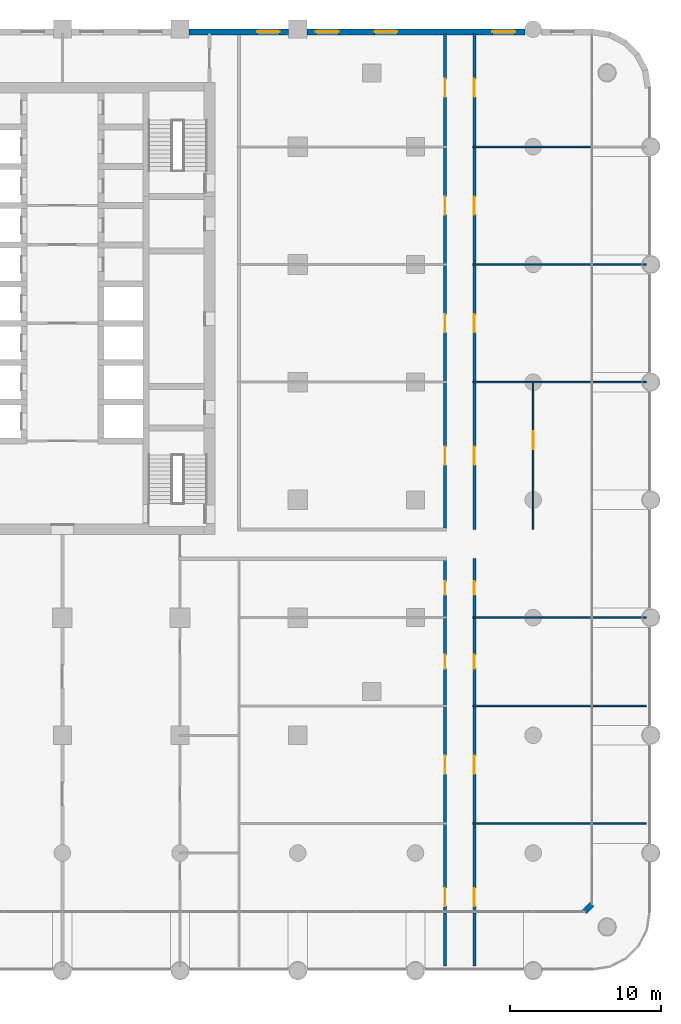
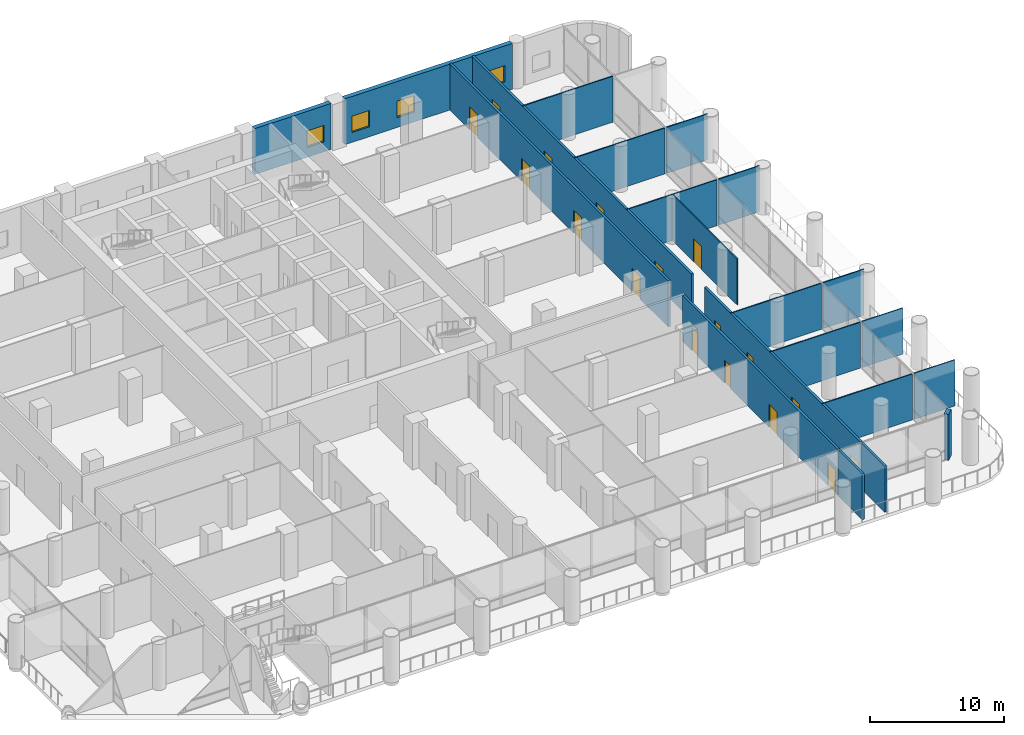
# One storey, part 14 of 24: 21 walls, 17 doors, 4 windows, 21 openings.
"""IFC4 building model written with IfcOpenShell, lengths in metres."""

from ifc_helpers import new_model, si_unit, direction, frame, frame_2d, origin, place, context, subcontext, project, spatial, rectangle, extrude, material, layer, layer_set, type_object, element, fill, save


model = new_model("IFC4")

# Units and contexts
model_context = context("Model", 3, precision=1e-05, world=origin(), true_north=direction((0.0, 1.0)))
body_context = subcontext(model_context, "Body", "Model", "MODEL_VIEW")
ifc_project = project(units=[si_unit("LENGTHUNIT", "METRE"), si_unit("AREAUNIT", "SQUARE_METRE"), si_unit("VOLUMEUNIT", "CUBIC_METRE"), si_unit("PLANEANGLEUNIT", "RADIAN"), si_unit("MASSUNIT", "GRAM", prefix="KILO")], contexts=[model_context])

# Site, building, storey
site_placement = place(None, origin())
site = spatial("IfcSite", under=ifc_project, at=site_placement, CompositionType="ELEMENT")
building_placement = place(site_placement, origin())
building = spatial("IfcBuilding", under=site, at=building_placement, Name="Ludao Terraces", CompositionType="ELEMENT")
storey_placement = place(building_placement, frame((0.0, 0.0, 6.0)))
storey = spatial("IfcBuildingStorey", under=building, at=storey_placement, Name="L01", CompositionType="ELEMENT", Elevation=6.0)

# Wall
ifc_material_1 = material(Name="Granite cladding", Category="masonry")
ifc_layer_1 = layer(ifc_material_1, 0.06005859375, Category="stone")
ifc_material_2 = material(Name="Mineral wool")
ifc_layer_2 = layer(ifc_material_2, 0.06005859375)
ifc_material_3 = material(Name="Concrete C40", Category="concrete")
ifc_layer_3 = layer(ifc_material_3, 0.260009765625, Category="concrete")
ifc_layer_set_1 = layer_set([ifc_layer_1, ifc_layer_2, ifc_layer_3], Name="ENV Stone-clad wall 380")
wall_type_1 = type_object("IfcWallType", Name="ENV Stone-clad wall 380", PredefinedType="SOLIDWALL", material=ifc_layer_set_1)
wall_1_placement = place(storey_placement, frame((119.60009765625, 29.89990234375, 0.0), z_axis=(0.0, 0.0, 1.0), x_axis=(0.707106781187, 0.707106781187, 0.0)))
element("IfcWall", 1, at=wall_1_placement, inside=storey, type_object=wall_type_1, Name="EW-L01-SE", PredefinedType="SOLIDWALL", context=body_context, shape_type="SweptSolid", body=[
    extrude(rectangle(XDim=0.70703125, YDim=0.3798828125, at=frame_2d((0.353515625, 0.0))), origin(), (0.0, 0.0, 1.0), 4.199951171875),
])

# Wall, opening, window
wall_2_placement = place(storey_placement, frame((93.39990234375, 88.2099609375, 0.0), z_axis=(0.0, 0.0, 1.0), x_axis=(1.0, 0.0, 0.0)))
wall_2 = element("IfcWall", 2, at=wall_2_placement, inside=storey, type_object=wall_type_1, Name="EW-L01-N6", PredefinedType="SOLIDWALL", context=body_context, shape_type="SweptSolid", body=[
    extrude(rectangle(XDim=6.60009765625, YDim=0.3798828125, at=frame_2d((3.300048828125, 0.0))), origin(), (0.0, 0.0, 1.0), 4.199951171875),
])
opening_1_placement = place(wall_2_placement, frame((4.5, 0.0, 0.89990234375)))
opening_1 = element("IfcOpeningElement", 3, at=opening_1_placement, cuts=wall_2, Name="Opening W5", PredefinedType="OPENING", context=body_context, shape_type="SweptSolid", body=[
    extrude(rectangle(XDim=1.5, YDim=1.5, at=frame_2d((0.75, 0.75))), frame((0.0, 0.199951171875, 0.0), z_axis=(0.0, -1.0, 0.0), x_axis=(1.0, 0.0, 0.0)), (0.0, 0.0, 1.0), 0.39990234375),
])
ifc_material_4 = material(Name="Clear glass in aluminium frame", Category="aluminium")
ifc_layer_4 = layer(ifc_material_4, 0.06005859375)
ifc_layer_set_2 = layer_set([ifc_layer_4], Name="ENV Window W5 1500x1500")
window_type = type_object("IfcWindowType", Name="ENV Window W5 1500x1500", PartitioningType="SINGLE_PANEL", PredefinedType="WINDOW", material=ifc_layer_set_2)
window_1_placement = place(opening_1_placement, origin())
window_1 = element("IfcWindow", 4, at=window_1_placement, inside=storey, type_object=window_type, Name="W-L01-N6-1", OverallHeight=1.5, OverallWidth=1.5, PartitioningType="SINGLE_PANEL", PredefinedType="WINDOW", context=body_context, shape_type="SweptSolid", body=[
    extrude(rectangle(XDim=1.5, YDim=1.5, at=frame_2d((0.75, 0.75))), frame((0.0, 0.030029296875, 0.0), z_axis=(0.0, -1.0, 0.0), x_axis=(1.0, 0.0, 0.0)), (0.0, 0.0, 1.0), 0.06005859375),
])
fill(opening_1, window_1)

# Wall, openings, windows
wall_3_placement = place(storey_placement, frame((101.199951171875, 88.2099609375, 0.0), z_axis=(0.0, 0.0, 1.0), x_axis=(1.0, 0.0, 0.0)))
wall_3 = element("IfcWall", 5, at=wall_3_placement, inside=storey, type_object=wall_type_1, Name="EW-L01-N7", PredefinedType="SOLIDWALL", context=body_context, shape_type="SweptSolid", body=[
    extrude(rectangle(XDim=14.449951171875, YDim=0.3798828125, at=frame_2d((7.22509765625, 0.0))), origin(), (0.0, 0.0, 1.0), 4.199951171875),
])
opening_2_placement = place(wall_3_placement, frame((0.60009765625, 0.0, 0.89990234375)))
opening_2 = element("IfcOpeningElement", 6, at=opening_2_placement, cuts=wall_3, Name="Opening W5", PredefinedType="OPENING", context=body_context, shape_type="SweptSolid", body=[
    extrude(rectangle(XDim=1.5, YDim=1.5, at=frame_2d((0.75, 0.75))), frame((0.0, 0.199951171875, 0.0), z_axis=(0.0, -1.0, 0.0), x_axis=(1.0, 0.0, 0.0)), (0.0, 0.0, 1.0), 0.39990234375),
])
opening_3_placement = place(wall_3_placement, frame((4.5, 0.0, 0.89990234375)))
opening_3 = element("IfcOpeningElement", 7, at=opening_3_placement, cuts=wall_3, Name="Opening W5", PredefinedType="OPENING", context=body_context, shape_type="SweptSolid", body=[
    extrude(rectangle(XDim=1.5, YDim=1.5, at=frame_2d((0.75, 0.75))), frame((0.0, 0.199951171875, 0.0), z_axis=(0.0, -1.0, 0.0), x_axis=(1.0, 0.0, 0.0)), (0.0, 0.0, 1.0), 0.39990234375),
])
opening_4_placement = place(wall_3_placement, frame((12.300048828125, 0.0, 0.89990234375)))
opening_4 = element("IfcOpeningElement", 8, at=opening_4_placement, cuts=wall_3, Name="Opening W5", PredefinedType="OPENING", context=body_context, shape_type="SweptSolid", body=[
    extrude(rectangle(XDim=1.5, YDim=1.5, at=frame_2d((0.75, 0.75))), frame((0.0, 0.199951171875, 0.0), z_axis=(0.0, -1.0, 0.0), x_axis=(1.0, 0.0, 0.0)), (0.0, 0.0, 1.0), 0.39990234375),
])
window_2_placement = place(opening_2_placement, origin())
window_2 = element("IfcWindow", 9, at=window_2_placement, inside=storey, type_object=window_type, Name="W-L01-N7-1", OverallHeight=1.5, OverallWidth=1.5, PartitioningType="SINGLE_PANEL", PredefinedType="WINDOW", context=body_context, shape_type="SweptSolid", body=[
    extrude(rectangle(XDim=1.5, YDim=1.5, at=frame_2d((0.75, 0.75))), frame((0.0, 0.030029296875, 0.0), z_axis=(0.0, -1.0, 0.0), x_axis=(1.0, 0.0, 0.0)), (0.0, 0.0, 1.0), 0.06005859375),
])
fill(opening_2, window_2)
window_3_placement = place(opening_3_placement, origin())
window_3 = element("IfcWindow", 10, at=window_3_placement, inside=storey, type_object=window_type, Name="W-L01-N7-2", OverallHeight=1.5, OverallWidth=1.5, PartitioningType="SINGLE_PANEL", PredefinedType="WINDOW", context=body_context, shape_type="SweptSolid", body=[
    extrude(rectangle(XDim=1.5, YDim=1.5, at=frame_2d((0.75, 0.75))), frame((0.0, 0.030029296875, 0.0), z_axis=(0.0, -1.0, 0.0), x_axis=(1.0, 0.0, 0.0)), (0.0, 0.0, 1.0), 0.06005859375),
])
fill(opening_3, window_3)
window_4_placement = place(opening_4_placement, origin())
window_4 = element("IfcWindow", 11, at=window_4_placement, inside=storey, type_object=window_type, Name="W-L01-N7-3", OverallHeight=1.5, OverallWidth=1.5, PartitioningType="SINGLE_PANEL", PredefinedType="WINDOW", context=body_context, shape_type="SweptSolid", body=[
    extrude(rectangle(XDim=1.5, YDim=1.5, at=frame_2d((0.75, 0.75))), frame((0.0, 0.030029296875, 0.0), z_axis=(0.0, -1.0, 0.0), x_axis=(1.0, 0.0, 0.0)), (0.0, 0.0, 1.0), 0.06005859375),
])
fill(opening_4, window_4)

# Wall
ifc_material_5 = material(Name="Autoclaved aerated concrete block B06 A3.5", Category="concrete")
ifc_layer_5 = layer(ifc_material_5, 0.199951171875)
ifc_layer_set_3 = layer_set([ifc_layer_5], Name="INT Entrance wall 200")
wall_type_2 = type_object("IfcWallType", Name="INT Entrance wall 200", PredefinedType="PARTITIONING", material=ifc_layer_set_3)
wall_4_placement = place(storey_placement, frame((110.35009765625, 26.300048828125, 0.0), z_axis=(0.0, 0.0, 1.0), x_axis=(0.0, 1.0, 0.0)))
element("IfcWall", 12, at=wall_4_placement, inside=storey, type_object=wall_type_2, Name="PW-L01-PW070", PredefinedType="PARTITIONING", context=body_context, shape_type="SweptSolid", body=[
    extrude(rectangle(XDim=3.52001953125, YDim=0.199951171875, at=frame_2d((1.760009765625, 0.0))), origin(), (0.0, 0.0, 1.0), 4.199951171875),
])

# Wall, openings, doors
wall_5_placement = place(storey_placement, frame((110.35009765625, 29.97998046875, 0.0), z_axis=(0.0, 0.0, 1.0), x_axis=(0.0, 1.0, 0.0)))
wall_5 = element("IfcWall", 13, at=wall_5_placement, inside=storey, type_object=wall_type_2, Name="PW-L01-PW071", PredefinedType="PARTITIONING", context=body_context, shape_type="SweptSolid", body=[
    extrude(rectangle(XDim=23.22021484375, YDim=0.199951171875, at=frame_2d((11.610107421875, 0.0))), origin(), (0.0, 0.0, 1.0), 4.199951171875),
])
opening_5_placement = place(wall_5_placement, frame((0.294921875, 0.0, 0.0)))
opening_5 = element("IfcOpeningElement", 14, at=opening_5_placement, cuts=wall_5, Name="Opening L01-003", PredefinedType="OPENING", context=body_context, shape_type="SweptSolid", body=[
    extrude(rectangle(XDim=1.199951171875, YDim=2.10009765625, at=frame_2d((0.60009765625, 1.050048828125))), frame((0.0, 0.10986328125, 0.0), z_axis=(0.0, -1.0, 0.0), x_axis=(1.0, 0.0, 0.0)), (0.0, 0.0, 1.0), 0.219970703125),
])
opening_6_placement = place(wall_5_placement, frame((9.070068359375, 0.0, 0.0)))
opening_6 = element("IfcOpeningElement", 15, at=opening_6_placement, cuts=wall_5, Name="Opening L01-012", PredefinedType="OPENING", context=body_context, shape_type="SweptSolid", body=[
    extrude(rectangle(XDim=1.199951171875, YDim=2.10009765625, at=frame_2d((0.60009765625, 1.050048828125))), frame((0.0, 0.10986328125, 0.0), z_axis=(0.0, -1.0, 0.0), x_axis=(1.0, 0.0, 0.0)), (0.0, 0.0, 1.0), 0.219970703125),
])
opening_7_placement = place(wall_5_placement, frame((16.044921875, 0.0, 0.0)))
opening_7 = element("IfcOpeningElement", 16, at=opening_7_placement, cuts=wall_5, Name="Opening L01-017", PredefinedType="OPENING", context=body_context, shape_type="SweptSolid", body=[
    extrude(rectangle(XDim=0.89990234375, YDim=2.10009765625, at=frame_2d((0.449951171875, 1.050048828125))), frame((0.0, 0.10986328125, 0.0), z_axis=(0.0, -1.0, 0.0), x_axis=(1.0, 0.0, 0.0)), (0.0, 0.0, 1.0), 0.219970703125),
])
opening_8_placement = place(wall_5_placement, frame((20.919921875, 0.0, 0.0)))
opening_8 = element("IfcOpeningElement", 17, at=opening_8_placement, cuts=wall_5, Name="Opening L01-023", PredefinedType="OPENING", context=body_context, shape_type="SweptSolid", body=[
    extrude(rectangle(XDim=0.89990234375, YDim=2.10009765625, at=frame_2d((0.449951171875, 1.050048828125))), frame((0.0, 0.10986328125, 0.0), z_axis=(0.0, -1.0, 0.0), x_axis=(1.0, 0.0, 0.0)), (0.0, 0.0, 1.0), 0.219970703125),
])
ifc_material_6 = material(Name="Timber door leaf", Category="wood")
door_type_1 = type_object("IfcDoorType", Name="INT Double door 1200", OperationType="DOUBLE_DOOR_SINGLE_SWING", PredefinedType="DOOR", material=ifc_material_6)
door_1_placement = place(opening_5_placement, origin())
door_1 = element("IfcDoor", 18, at=door_1_placement, inside=storey, type_object=door_type_1, Name="DOOR 003", OperationType="DOUBLE_DOOR_SINGLE_SWING", OverallHeight=2.10009765625, OverallWidth=1.199951171875, PredefinedType="DOOR", context=body_context, shape_type="SweptSolid", body=[
    extrude(rectangle(XDim=1.199951171875, YDim=2.10009765625, at=frame_2d((0.60009765625, 1.050048828125))), frame((0.0, 0.02490234375, 0.0), z_axis=(0.0, -1.0, 0.0), x_axis=(1.0, 0.0, 0.0)), (0.0, 0.0, 1.0), 0.050048828125),
])
fill(opening_5, door_1)
door_2_placement = place(opening_6_placement, origin())
door_2 = element("IfcDoor", 19, at=door_2_placement, inside=storey, type_object=door_type_1, Name="DOOR 012", OperationType="DOUBLE_DOOR_SINGLE_SWING", OverallHeight=2.10009765625, OverallWidth=1.199951171875, PredefinedType="DOOR", context=body_context, shape_type="SweptSolid", body=[
    extrude(rectangle(XDim=1.199951171875, YDim=2.10009765625, at=frame_2d((0.60009765625, 1.050048828125))), frame((0.0, 0.02490234375, 0.0), z_axis=(0.0, -1.0, 0.0), x_axis=(1.0, 0.0, 0.0)), (0.0, 0.0, 1.0), 0.050048828125),
])
fill(opening_6, door_2)
door_type_2 = type_object("IfcDoorType", Name="INT Room door 900", OperationType="SINGLE_SWING_LEFT", PredefinedType="DOOR", material=ifc_material_6)
door_3_placement = place(opening_7_placement, origin())
door_3 = element("IfcDoor", 20, at=door_3_placement, inside=storey, type_object=door_type_2, Name="DOOR 017", OperationType="SINGLE_SWING_RIGHT", OverallHeight=2.10009765625, OverallWidth=0.89990234375, PredefinedType="DOOR", context=body_context, shape_type="SweptSolid", body=[
    extrude(rectangle(XDim=0.89990234375, YDim=2.10009765625, at=frame_2d((0.449951171875, 1.050048828125))), frame((0.0, 0.02490234375, 0.0), z_axis=(0.0, -1.0, 0.0), x_axis=(1.0, 0.0, 0.0)), (0.0, 0.0, 1.0), 0.050048828125),
])
fill(opening_7, door_3)
door_4_placement = place(opening_8_placement, origin())
door_4 = element("IfcDoor", 21, at=door_4_placement, inside=storey, type_object=door_type_2, Name="DOOR 023", OperationType="SINGLE_SWING_LEFT", OverallHeight=2.10009765625, OverallWidth=0.89990234375, PredefinedType="DOOR", context=body_context, shape_type="SweptSolid", body=[
    extrude(rectangle(XDim=0.89990234375, YDim=2.10009765625, at=frame_2d((0.449951171875, 1.050048828125))), frame((0.0, 0.02490234375, 0.0), z_axis=(0.0, -1.0, 0.0), x_axis=(1.0, 0.0, 0.0)), (0.0, 0.0, 1.0), 0.050048828125),
])
fill(opening_8, door_4)

wall_6_placement = place(storey_placement, frame((110.35009765625, 55.35009765625, 0.0), z_axis=(0.0, 0.0, 1.0), x_axis=(0.0, 1.0, 0.0)))
wall_6 = element("IfcWall", 22, at=wall_6_placement, inside=storey, type_object=wall_type_2, Name="PW-L01-PW072", PredefinedType="PARTITIONING", context=body_context, shape_type="SweptSolid", body=[
    extrude(rectangle(XDim=32.75, YDim=0.199951171875, at=frame_2d((16.375, 0.0))), origin(), (0.0, 0.0, 1.0), 4.199951171875),
])
opening_9_placement = place(wall_6_placement, frame((4.175048828125, 0.0, 0.0)))
opening_9 = element("IfcOpeningElement", 23, at=opening_9_placement, cuts=wall_6, Name="Opening L01-030", PredefinedType="OPENING", context=body_context, shape_type="SweptSolid", body=[
    extrude(rectangle(XDim=1.199951171875, YDim=2.10009765625, at=frame_2d((0.60009765625, 1.050048828125))), frame((0.0, 0.10986328125, 0.0), z_axis=(0.0, -1.0, 0.0), x_axis=(1.0, 0.0, 0.0)), (0.0, 0.0, 1.0), 0.219970703125),
])
opening_10_placement = place(wall_6_placement, frame((12.949951171875, 0.0, 0.0)))
opening_10 = element("IfcOpeningElement", 24, at=opening_10_placement, cuts=wall_6, Name="Opening L01-043", PredefinedType="OPENING", context=body_context, shape_type="SweptSolid", body=[
    extrude(rectangle(XDim=1.199951171875, YDim=2.10009765625, at=frame_2d((0.60009765625, 1.050048828125))), frame((0.0, 0.10986328125, 0.0), z_axis=(0.0, -1.0, 0.0), x_axis=(1.0, 0.0, 0.0)), (0.0, 0.0, 1.0), 0.219970703125),
])
opening_11_placement = place(wall_6_placement, frame((20.75, 0.0, 0.0)))
opening_11 = element("IfcOpeningElement", 25, at=opening_11_placement, cuts=wall_6, Name="Opening L01-061", PredefinedType="OPENING", context=body_context, shape_type="SweptSolid", body=[
    extrude(rectangle(XDim=1.199951171875, YDim=2.10009765625, at=frame_2d((0.60009765625, 1.050048828125))), frame((0.0, 0.10986328125, 0.0), z_axis=(0.0, -1.0, 0.0), x_axis=(1.0, 0.0, 0.0)), (0.0, 0.0, 1.0), 0.219970703125),
])
opening_12_placement = place(wall_6_placement, frame((28.550048828125, 0.0, 0.0)))
opening_12 = element("IfcOpeningElement", 26, at=opening_12_placement, cuts=wall_6, Name="Opening L01-073", PredefinedType="OPENING", context=body_context, shape_type="SweptSolid", body=[
    extrude(rectangle(XDim=1.199951171875, YDim=2.10009765625, at=frame_2d((0.60009765625, 1.050048828125))), frame((0.0, 0.10986328125, 0.0), z_axis=(0.0, -1.0, 0.0), x_axis=(1.0, 0.0, 0.0)), (0.0, 0.0, 1.0), 0.219970703125),
])
door_5_placement = place(opening_9_placement, origin())
door_5 = element("IfcDoor", 27, at=door_5_placement, inside=storey, type_object=door_type_1, Name="DOOR 030", OperationType="DOUBLE_DOOR_SINGLE_SWING", OverallHeight=2.10009765625, OverallWidth=1.199951171875, PredefinedType="DOOR", context=body_context, shape_type="SweptSolid", body=[
    extrude(rectangle(XDim=1.199951171875, YDim=2.10009765625, at=frame_2d((0.60009765625, 1.050048828125))), frame((0.0, 0.02490234375, 0.0), z_axis=(0.0, -1.0, 0.0), x_axis=(1.0, 0.0, 0.0)), (0.0, 0.0, 1.0), 0.050048828125),
])
fill(opening_9, door_5)
door_6_placement = place(opening_10_placement, origin())
door_6 = element("IfcDoor", 28, at=door_6_placement, inside=storey, type_object=door_type_1, Name="DOOR 043", OperationType="DOUBLE_DOOR_SINGLE_SWING", OverallHeight=2.10009765625, OverallWidth=1.199951171875, PredefinedType="DOOR", context=body_context, shape_type="SweptSolid", body=[
    extrude(rectangle(XDim=1.199951171875, YDim=2.10009765625, at=frame_2d((0.60009765625, 1.050048828125))), frame((0.0, 0.02490234375, 0.0), z_axis=(0.0, -1.0, 0.0), x_axis=(1.0, 0.0, 0.0)), (0.0, 0.0, 1.0), 0.050048828125),
])
fill(opening_10, door_6)
door_7_placement = place(opening_11_placement, origin())
door_7 = element("IfcDoor", 29, at=door_7_placement, inside=storey, type_object=door_type_1, Name="DOOR 061", OperationType="DOUBLE_DOOR_SINGLE_SWING", OverallHeight=2.10009765625, OverallWidth=1.199951171875, PredefinedType="DOOR", context=body_context, shape_type="SweptSolid", body=[
    extrude(rectangle(XDim=1.199951171875, YDim=2.10009765625, at=frame_2d((0.60009765625, 1.050048828125))), frame((0.0, 0.02490234375, 0.0), z_axis=(0.0, -1.0, 0.0), x_axis=(1.0, 0.0, 0.0)), (0.0, 0.0, 1.0), 0.050048828125),
])
fill(opening_11, door_7)
door_8_placement = place(opening_12_placement, origin())
door_8 = element("IfcDoor", 30, at=door_8_placement, inside=storey, type_object=door_type_1, Name="DOOR 073", OperationType="DOUBLE_DOOR_SINGLE_SWING", OverallHeight=2.10009765625, OverallWidth=1.199951171875, PredefinedType="DOOR", context=body_context, shape_type="SweptSolid", body=[
    extrude(rectangle(XDim=1.199951171875, YDim=2.10009765625, at=frame_2d((0.60009765625, 1.050048828125))), frame((0.0, 0.02490234375, 0.0), z_axis=(0.0, -1.0, 0.0), x_axis=(1.0, 0.0, 0.0)), (0.0, 0.0, 1.0), 0.050048828125),
])
fill(opening_12, door_8)

# Wall
wall_7_placement = place(storey_placement, frame((112.300048828125, 26.300048828125, 0.0), z_axis=(0.0, 0.0, 1.0), x_axis=(0.0, 1.0, 0.0)))
element("IfcWall", 31, at=wall_7_placement, inside=storey, type_object=wall_type_2, Name="PW-L01-PW073", PredefinedType="PARTITIONING", context=body_context, shape_type="SweptSolid", body=[
    extrude(rectangle(XDim=3.52001953125, YDim=0.199951171875, at=frame_2d((1.760009765625, 0.0))), origin(), (0.0, 0.0, 1.0), 4.199951171875),
])

# Wall, openings, doors
wall_8_placement = place(storey_placement, frame((112.300048828125, 29.97998046875, 0.0), z_axis=(0.0, 0.0, 1.0), x_axis=(0.0, 1.0, 0.0)))
wall_8 = element("IfcWall", 32, at=wall_8_placement, inside=storey, type_object=wall_type_2, Name="PW-L01-PW074", PredefinedType="PARTITIONING", context=body_context, shape_type="SweptSolid", body=[
    extrude(rectangle(XDim=23.320068359375, YDim=0.199951171875, at=frame_2d((11.66015625, 0.0))), origin(), (0.0, 0.0, 1.0), 4.199951171875),
])
opening_13_placement = place(wall_8_placement, frame((0.294921875, 0.0, 0.0)))
opening_13 = element("IfcOpeningElement", 33, at=opening_13_placement, cuts=wall_8, Name="Opening L01-004", PredefinedType="OPENING", context=body_context, shape_type="SweptSolid", body=[
    extrude(rectangle(XDim=1.199951171875, YDim=2.10009765625, at=frame_2d((0.60009765625, 1.050048828125))), frame((0.0, 0.10986328125, 0.0), z_axis=(0.0, -1.0, 0.0), x_axis=(1.0, 0.0, 0.0)), (0.0, 0.0, 1.0), 0.219970703125),
])
opening_14_placement = place(wall_8_placement, frame((9.070068359375, 0.0, 0.0)))
opening_14 = element("IfcOpeningElement", 34, at=opening_14_placement, cuts=wall_8, Name="Opening L01-013", PredefinedType="OPENING", context=body_context, shape_type="SweptSolid", body=[
    extrude(rectangle(XDim=1.199951171875, YDim=2.10009765625, at=frame_2d((0.60009765625, 1.050048828125))), frame((0.0, 0.10986328125, 0.0), z_axis=(0.0, -1.0, 0.0), x_axis=(1.0, 0.0, 0.0)), (0.0, 0.0, 1.0), 0.219970703125),
])
opening_15_placement = place(wall_8_placement, frame((16.044921875, 0.0, 0.0)))
opening_15 = element("IfcOpeningElement", 35, at=opening_15_placement, cuts=wall_8, Name="Opening L01-018", PredefinedType="OPENING", context=body_context, shape_type="SweptSolid", body=[
    extrude(rectangle(XDim=0.89990234375, YDim=2.10009765625, at=frame_2d((0.449951171875, 1.050048828125))), frame((0.0, 0.10986328125, 0.0), z_axis=(0.0, -1.0, 0.0), x_axis=(1.0, 0.0, 0.0)), (0.0, 0.0, 1.0), 0.219970703125),
])
opening_16_placement = place(wall_8_placement, frame((20.919921875, 0.0, 0.0)))
opening_16 = element("IfcOpeningElement", 36, at=opening_16_placement, cuts=wall_8, Name="Opening L01-024", PredefinedType="OPENING", context=body_context, shape_type="SweptSolid", body=[
    extrude(rectangle(XDim=0.89990234375, YDim=2.10009765625, at=frame_2d((0.449951171875, 1.050048828125))), frame((0.0, 0.10986328125, 0.0), z_axis=(0.0, -1.0, 0.0), x_axis=(1.0, 0.0, 0.0)), (0.0, 0.0, 1.0), 0.219970703125),
])
door_9_placement = place(opening_13_placement, origin())
door_9 = element("IfcDoor", 37, at=door_9_placement, inside=storey, type_object=door_type_1, Name="DOOR 004", OperationType="DOUBLE_DOOR_SINGLE_SWING", OverallHeight=2.10009765625, OverallWidth=1.199951171875, PredefinedType="DOOR", context=body_context, shape_type="SweptSolid", body=[
    extrude(rectangle(XDim=1.199951171875, YDim=2.10009765625, at=frame_2d((0.60009765625, 1.050048828125))), frame((0.0, 0.02490234375, 0.0), z_axis=(0.0, -1.0, 0.0), x_axis=(1.0, 0.0, 0.0)), (0.0, 0.0, 1.0), 0.050048828125),
])
fill(opening_13, door_9)
door_10_placement = place(opening_14_placement, origin())
door_10 = element("IfcDoor", 38, at=door_10_placement, inside=storey, type_object=door_type_1, Name="DOOR 013", OperationType="DOUBLE_DOOR_SINGLE_SWING", OverallHeight=2.10009765625, OverallWidth=1.199951171875, PredefinedType="DOOR", context=body_context, shape_type="SweptSolid", body=[
    extrude(rectangle(XDim=1.199951171875, YDim=2.10009765625, at=frame_2d((0.60009765625, 1.050048828125))), frame((0.0, 0.02490234375, 0.0), z_axis=(0.0, -1.0, 0.0), x_axis=(1.0, 0.0, 0.0)), (0.0, 0.0, 1.0), 0.050048828125),
])
fill(opening_14, door_10)
door_11_placement = place(opening_15_placement, origin())
door_11 = element("IfcDoor", 39, at=door_11_placement, inside=storey, type_object=door_type_2, Name="DOOR 018", OperationType="SINGLE_SWING_LEFT", OverallHeight=2.10009765625, OverallWidth=0.89990234375, PredefinedType="DOOR", context=body_context, shape_type="SweptSolid", body=[
    extrude(rectangle(XDim=0.89990234375, YDim=2.10009765625, at=frame_2d((0.449951171875, 1.050048828125))), frame((0.0, 0.02490234375, 0.0), z_axis=(0.0, -1.0, 0.0), x_axis=(1.0, 0.0, 0.0)), (0.0, 0.0, 1.0), 0.050048828125),
])
fill(opening_15, door_11)
door_12_placement = place(opening_16_placement, origin())
door_12 = element("IfcDoor", 40, at=door_12_placement, inside=storey, type_object=door_type_2, Name="DOOR 024", OperationType="SINGLE_SWING_RIGHT", OverallHeight=2.10009765625, OverallWidth=0.89990234375, PredefinedType="DOOR", context=body_context, shape_type="SweptSolid", body=[
    extrude(rectangle(XDim=0.89990234375, YDim=2.10009765625, at=frame_2d((0.449951171875, 1.050048828125))), frame((0.0, 0.02490234375, 0.0), z_axis=(0.0, -1.0, 0.0), x_axis=(1.0, 0.0, 0.0)), (0.0, 0.0, 1.0), 0.050048828125),
])
fill(opening_16, door_12)

wall_9_placement = place(storey_placement, frame((112.300048828125, 55.25, 0.0), z_axis=(0.0, 0.0, 1.0), x_axis=(0.0, 1.0, 0.0)))
wall_9 = element("IfcWall", 41, at=wall_9_placement, inside=storey, type_object=wall_type_2, Name="PW-L01-PW075", PredefinedType="PARTITIONING", context=body_context, shape_type="SweptSolid", body=[
    extrude(rectangle(XDim=32.85009765625, YDim=0.199951171875, at=frame_2d((16.425048828125, 0.0))), origin(), (0.0, 0.0, 1.0), 4.199951171875),
])
opening_17_placement = place(wall_9_placement, frame((4.275146484375, 0.0, 0.0)))
opening_17 = element("IfcOpeningElement", 42, at=opening_17_placement, cuts=wall_9, Name="Opening L01-031", PredefinedType="OPENING", context=body_context, shape_type="SweptSolid", body=[
    extrude(rectangle(XDim=1.199951171875, YDim=2.10009765625, at=frame_2d((0.60009765625, 1.050048828125))), frame((0.0, 0.10986328125, 0.0), z_axis=(0.0, -1.0, 0.0), x_axis=(1.0, 0.0, 0.0)), (0.0, 0.0, 1.0), 0.219970703125),
])
opening_18_placement = place(wall_9_placement, frame((13.050048828125, 0.0, 0.0)))
opening_18 = element("IfcOpeningElement", 43, at=opening_18_placement, cuts=wall_9, Name="Opening L01-044", PredefinedType="OPENING", context=body_context, shape_type="SweptSolid", body=[
    extrude(rectangle(XDim=1.199951171875, YDim=2.10009765625, at=frame_2d((0.60009765625, 1.050048828125))), frame((0.0, 0.10986328125, 0.0), z_axis=(0.0, -1.0, 0.0), x_axis=(1.0, 0.0, 0.0)), (0.0, 0.0, 1.0), 0.219970703125),
])
opening_19_placement = place(wall_9_placement, frame((20.85009765625, 0.0, 0.0)))
opening_19 = element("IfcOpeningElement", 44, at=opening_19_placement, cuts=wall_9, Name="Opening L01-062", PredefinedType="OPENING", context=body_context, shape_type="SweptSolid", body=[
    extrude(rectangle(XDim=1.199951171875, YDim=2.10009765625, at=frame_2d((0.60009765625, 1.050048828125))), frame((0.0, 0.10986328125, 0.0), z_axis=(0.0, -1.0, 0.0), x_axis=(1.0, 0.0, 0.0)), (0.0, 0.0, 1.0), 0.219970703125),
])
opening_20_placement = place(wall_9_placement, frame((28.650146484375, 0.0, 0.0)))
opening_20 = element("IfcOpeningElement", 45, at=opening_20_placement, cuts=wall_9, Name="Opening L01-074", PredefinedType="OPENING", context=body_context, shape_type="SweptSolid", body=[
    extrude(rectangle(XDim=1.199951171875, YDim=2.10009765625, at=frame_2d((0.60009765625, 1.050048828125))), frame((0.0, 0.10986328125, 0.0), z_axis=(0.0, -1.0, 0.0), x_axis=(1.0, 0.0, 0.0)), (0.0, 0.0, 1.0), 0.219970703125),
])
door_13_placement = place(opening_17_placement, origin())
door_13 = element("IfcDoor", 46, at=door_13_placement, inside=storey, type_object=door_type_1, Name="DOOR 031", OperationType="DOUBLE_DOOR_SINGLE_SWING", OverallHeight=2.10009765625, OverallWidth=1.199951171875, PredefinedType="DOOR", context=body_context, shape_type="SweptSolid", body=[
    extrude(rectangle(XDim=1.199951171875, YDim=2.10009765625, at=frame_2d((0.60009765625, 1.050048828125))), frame((0.0, 0.02490234375, 0.0), z_axis=(0.0, -1.0, 0.0), x_axis=(1.0, 0.0, 0.0)), (0.0, 0.0, 1.0), 0.050048828125),
])
fill(opening_17, door_13)
door_14_placement = place(opening_18_placement, origin())
door_14 = element("IfcDoor", 47, at=door_14_placement, inside=storey, type_object=door_type_1, Name="DOOR 044", OperationType="DOUBLE_DOOR_SINGLE_SWING", OverallHeight=2.10009765625, OverallWidth=1.199951171875, PredefinedType="DOOR", context=body_context, shape_type="SweptSolid", body=[
    extrude(rectangle(XDim=1.199951171875, YDim=2.10009765625, at=frame_2d((0.60009765625, 1.050048828125))), frame((0.0, 0.02490234375, 0.0), z_axis=(0.0, -1.0, 0.0), x_axis=(1.0, 0.0, 0.0)), (0.0, 0.0, 1.0), 0.050048828125),
])
fill(opening_18, door_14)
door_15_placement = place(opening_19_placement, origin())
door_15 = element("IfcDoor", 48, at=door_15_placement, inside=storey, type_object=door_type_1, Name="DOOR 062", OperationType="DOUBLE_DOOR_SINGLE_SWING", OverallHeight=2.10009765625, OverallWidth=1.199951171875, PredefinedType="DOOR", context=body_context, shape_type="SweptSolid", body=[
    extrude(rectangle(XDim=1.199951171875, YDim=2.10009765625, at=frame_2d((0.60009765625, 1.050048828125))), frame((0.0, 0.02490234375, 0.0), z_axis=(0.0, -1.0, 0.0), x_axis=(1.0, 0.0, 0.0)), (0.0, 0.0, 1.0), 0.050048828125),
])
fill(opening_19, door_15)
door_16_placement = place(opening_20_placement, origin())
door_16 = element("IfcDoor", 49, at=door_16_placement, inside=storey, type_object=door_type_1, Name="DOOR 074", OperationType="DOUBLE_DOOR_SINGLE_SWING", OverallHeight=2.10009765625, OverallWidth=1.199951171875, PredefinedType="DOOR", context=body_context, shape_type="SweptSolid", body=[
    extrude(rectangle(XDim=1.199951171875, YDim=2.10009765625, at=frame_2d((0.60009765625, 1.050048828125))), frame((0.0, 0.02490234375, 0.0), z_axis=(0.0, -1.0, 0.0), x_axis=(1.0, 0.0, 0.0)), (0.0, 0.0, 1.0), 0.050048828125),
])
fill(opening_20, door_16)

# Walls
ifc_material_7 = material(Name="Gypsum plasterboard", Category="gypsum")
ifc_layer_6 = layer(ifc_material_7, 0.012451171875, Category="gypsum")
ifc_layer_7 = layer(ifc_material_2, 0.06005859375, Name="insulation")
ifc_material_8 = material(Name="Steel Q235", Category="steel")
ifc_layer_8 = layer(ifc_material_8, 0.014892578125, Name="stud")
ifc_layer_9 = layer(ifc_material_7, 0.012451171875, Category="gypsum")
ifc_layer_set_4 = layer_set([ifc_layer_6, ifc_layer_7, ifc_layer_8, ifc_layer_9], Name="INT Partition 100")
wall_type_3 = type_object("IfcWallType", Name="INT Partition 100", PredefinedType="PARTITIONING", material=ifc_layer_set_4)
wall_10_placement = place(storey_placement, frame((112.2001953125, 35.75, 0.0), z_axis=(0.0, 0.0, 1.0), x_axis=(1.0, 0.0, 0.0)))
element("IfcWall", 50, at=wall_10_placement, inside=storey, type_object=wall_type_3, Name="PW-L01-PW006", PredefinedType="PARTITIONING", context=body_context, shape_type="SweptSolid", body=[
    extrude(rectangle(XDim=7.81982421875, YDim=0.10009765625, at=frame_2d((3.909912109375, 0.0))), origin(), (0.0, 0.0, 1.0), 4.199951171875),
])
wall_11_placement = place(storey_placement, frame((120.179931640625, 35.75, 0.0), z_axis=(0.0, 0.0, 1.0), x_axis=(1.0, 0.0, 0.0)))
element("IfcWall", 51, at=wall_11_placement, inside=storey, type_object=wall_type_3, Name="PW-L01-PW007", PredefinedType="PARTITIONING", context=body_context, shape_type="SweptSolid", body=[
    extrude(rectangle(XDim=3.520263671875, YDim=0.10009765625, at=frame_2d((1.76025390625, 0.0))), origin(), (0.0, 0.0, 1.0), 4.199951171875),
])
wall_12_placement = place(storey_placement, frame((112.2001953125, 43.550048828125, 0.0), z_axis=(0.0, 0.0, 1.0), x_axis=(1.0, 0.0, 0.0)))
element("IfcWall", 52, at=wall_12_placement, inside=storey, type_object=wall_type_3, Name="PW-L01-PW013", PredefinedType="PARTITIONING", context=body_context, shape_type="SweptSolid", body=[
    extrude(rectangle(XDim=7.81982421875, YDim=0.10009765625, at=frame_2d((3.909912109375, 0.0))), origin(), (0.0, 0.0, 1.0), 4.199951171875),
])
wall_13_placement = place(storey_placement, frame((120.179931640625, 43.550048828125, 0.0), z_axis=(0.0, 0.0, 1.0), x_axis=(1.0, 0.0, 0.0)))
element("IfcWall", 53, at=wall_13_placement, inside=storey, type_object=wall_type_3, Name="PW-L01-PW014", PredefinedType="PARTITIONING", context=body_context, shape_type="SweptSolid", body=[
    extrude(rectangle(XDim=3.520263671875, YDim=0.10009765625, at=frame_2d((1.76025390625, 0.0))), origin(), (0.0, 0.0, 1.0), 4.199951171875),
])
wall_14_placement = place(storey_placement, frame((112.2001953125, 49.39990234375, 0.0), z_axis=(0.0, 0.0, 1.0), x_axis=(1.0, 0.0, 0.0)))
element("IfcWall", 54, at=wall_14_placement, inside=storey, type_object=wall_type_3, Name="PW-L01-PW019", PredefinedType="PARTITIONING", context=body_context, shape_type="SweptSolid", body=[
    extrude(rectangle(XDim=7.81982421875, YDim=0.10009765625, at=frame_2d((3.909912109375, 0.0))), origin(), (0.0, 0.0, 1.0), 4.199951171875),
])
wall_15_placement = place(storey_placement, frame((120.179931640625, 49.39990234375, 0.0), z_axis=(0.0, 0.0, 1.0), x_axis=(1.0, 0.0, 0.0)))
element("IfcWall", 55, at=wall_15_placement, inside=storey, type_object=wall_type_3, Name="PW-L01-PW020", PredefinedType="PARTITIONING", context=body_context, shape_type="SweptSolid", body=[
    extrude(rectangle(XDim=3.520263671875, YDim=0.10009765625, at=frame_2d((1.76025390625, 0.0))), origin(), (0.0, 0.0, 1.0), 4.199951171875),
])
wall_16_placement = place(storey_placement, frame((112.2001953125, 65.0, 0.0), z_axis=(0.0, 0.0, 1.0), x_axis=(1.0, 0.0, 0.0)))
element("IfcWall", 56, at=wall_16_placement, inside=storey, type_object=wall_type_3, Name="PW-L01-PW027", PredefinedType="PARTITIONING", context=body_context, shape_type="SweptSolid", body=[
    extrude(rectangle(XDim=7.81982421875, YDim=0.10009765625, at=frame_2d((3.909912109375, 0.0))), origin(), (0.0, 0.0, 1.0), 4.199951171875),
])
wall_17_placement = place(storey_placement, frame((120.179931640625, 65.0, 0.0), z_axis=(0.0, 0.0, 1.0), x_axis=(1.0, 0.0, 0.0)))
element("IfcWall", 57, at=wall_17_placement, inside=storey, type_object=wall_type_3, Name="PW-L01-PW028", PredefinedType="PARTITIONING", context=body_context, shape_type="SweptSolid", body=[
    extrude(rectangle(XDim=3.520263671875, YDim=0.10009765625, at=frame_2d((1.76025390625, 0.0))), origin(), (0.0, 0.0, 1.0), 4.199951171875),
])
wall_18_placement = place(storey_placement, frame((112.2001953125, 72.800048828125, 0.0), z_axis=(0.0, 0.0, 1.0), x_axis=(1.0, 0.0, 0.0)))
element("IfcWall", 58, at=wall_18_placement, inside=storey, type_object=wall_type_3, Name="PW-L01-PW039", PredefinedType="PARTITIONING", context=body_context, shape_type="SweptSolid", body=[
    extrude(rectangle(XDim=7.81982421875, YDim=0.10009765625, at=frame_2d((3.909912109375, 0.0))), origin(), (0.0, 0.0, 1.0), 4.199951171875),
])
wall_19_placement = place(storey_placement, frame((120.179931640625, 72.800048828125, 0.0), z_axis=(0.0, 0.0, 1.0), x_axis=(1.0, 0.0, 0.0)))
element("IfcWall", 59, at=wall_19_placement, inside=storey, type_object=wall_type_3, Name="PW-L01-PW040", PredefinedType="PARTITIONING", context=body_context, shape_type="SweptSolid", body=[
    extrude(rectangle(XDim=3.520263671875, YDim=0.10009765625, at=frame_2d((1.76025390625, 0.0))), origin(), (0.0, 0.0, 1.0), 4.199951171875),
])
wall_20_placement = place(storey_placement, frame((112.2001953125, 80.60009765625, 0.0), z_axis=(0.0, 0.0, 1.0), x_axis=(1.0, 0.0, 0.0)))
element("IfcWall", 60, at=wall_20_placement, inside=storey, type_object=wall_type_3, Name="PW-L01-PW047", PredefinedType="PARTITIONING", context=body_context, shape_type="SweptSolid", body=[
    extrude(rectangle(XDim=7.81982421875, YDim=0.10009765625, at=frame_2d((3.909912109375, 0.0))), origin(), (0.0, 0.0, 1.0), 4.199951171875),
])

# Wall, opening, door
wall_21_placement = place(storey_placement, frame((116.199951171875, 55.25, 0.0), z_axis=(0.0, 0.0, 1.0), x_axis=(0.0, 1.0, 0.0)))
wall_21 = element("IfcWall", 61, at=wall_21_placement, inside=storey, type_object=wall_type_3, Name="PW-L01-PW076", PredefinedType="PARTITIONING", context=body_context, shape_type="SweptSolid", body=[
    extrude(rectangle(XDim=9.7001953125, YDim=0.10009765625, at=frame_2d((4.85009765625, 0.0))), origin(), (0.0, 0.0, 1.0), 4.199951171875),
])
opening_21_placement = place(wall_21_placement, frame((5.290771484375, 0.0, 0.0)))
opening_21 = element("IfcOpeningElement", 62, at=opening_21_placement, cuts=wall_21, Name="Opening L01-035", PredefinedType="OPENING", context=body_context, shape_type="SweptSolid", body=[
    extrude(rectangle(XDim=1.199951171875, YDim=2.10009765625, at=frame_2d((0.60009765625, 1.050048828125))), frame((0.0, 0.06005859375, 0.0), z_axis=(0.0, -1.0, 0.0), x_axis=(1.0, 0.0, 0.0)), (0.0, 0.0, 1.0), 0.1201171875),
])
door_17_placement = place(opening_21_placement, origin())
door_17 = element("IfcDoor", 63, at=door_17_placement, inside=storey, type_object=door_type_1, Name="DOOR 035", OperationType="DOUBLE_DOOR_SINGLE_SWING", OverallHeight=2.10009765625, OverallWidth=1.199951171875, PredefinedType="DOOR", context=body_context, shape_type="SweptSolid", body=[
    extrude(rectangle(XDim=1.199951171875, YDim=2.10009765625, at=frame_2d((0.60009765625, 1.050048828125))), frame((0.0, 0.02490234375, 0.0), z_axis=(0.0, -1.0, 0.0), x_axis=(1.0, 0.0, 0.0)), (0.0, 0.0, 1.0), 0.050048828125),
])
fill(opening_21, door_17)

save(model, "model.ifc")
